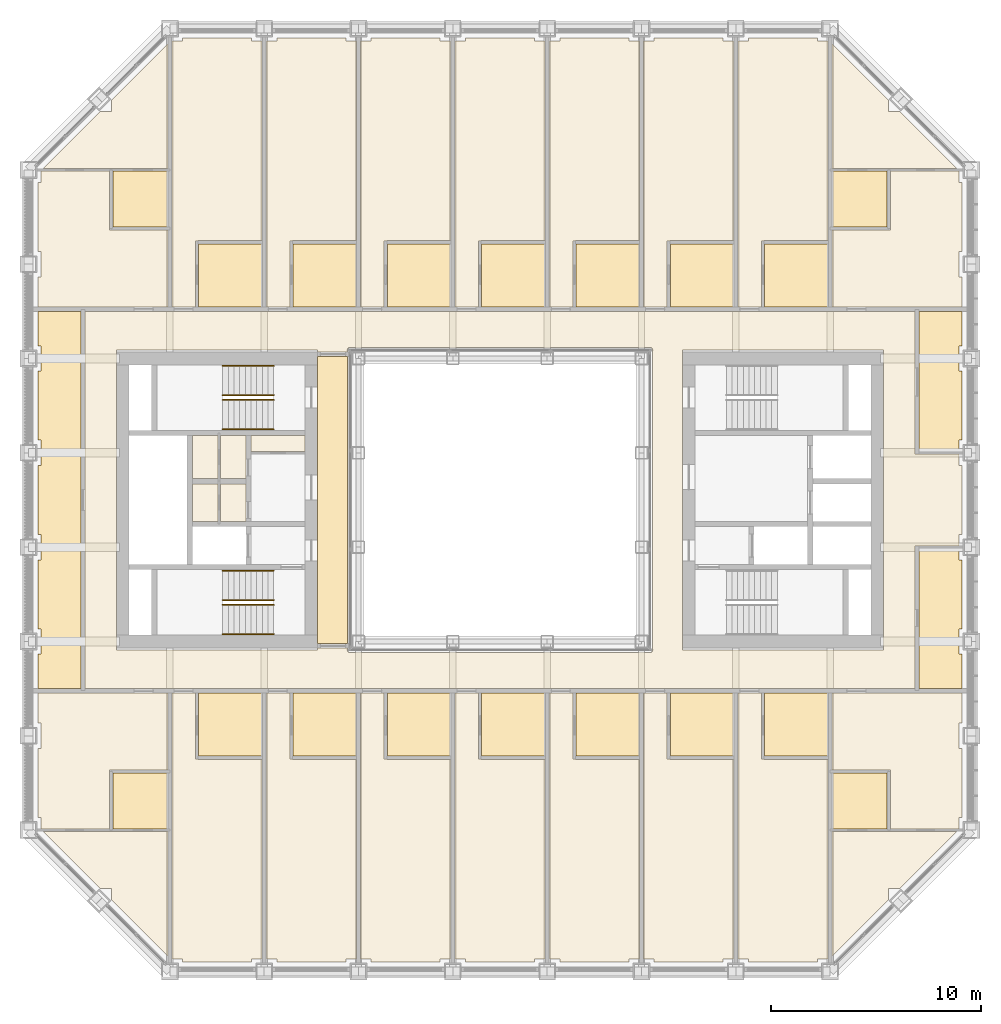
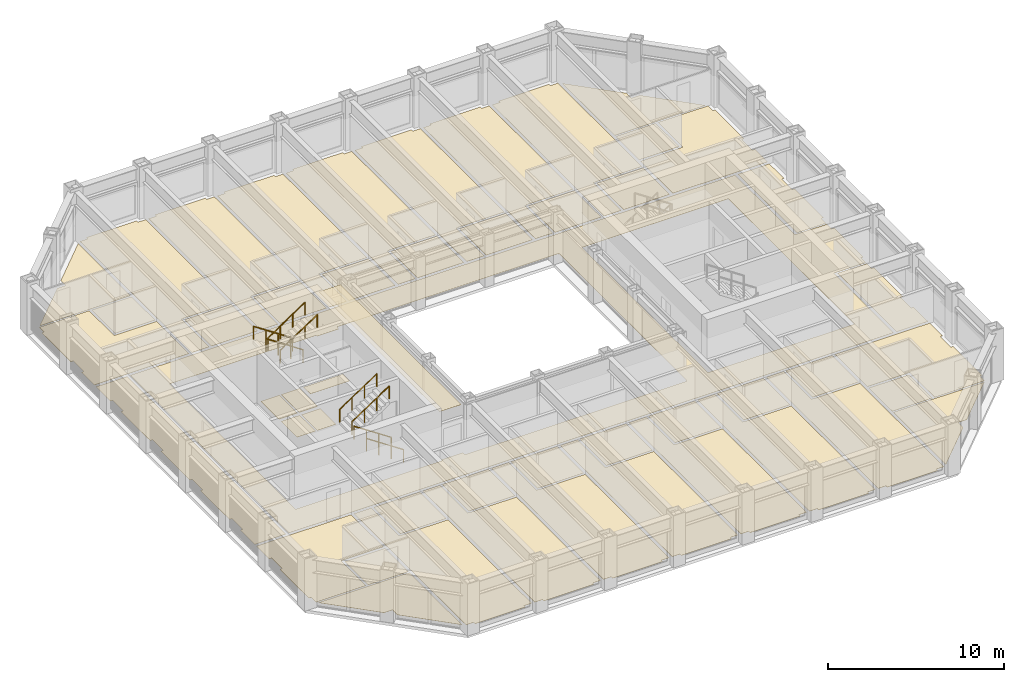
# One storey, part 16 of 18: 8 railings, 4 coverings.
"""IFC4 building model written with IfcOpenShell, lengths in metres."""

from ifc_helpers import new_model, si_unit, direction, frame, origin, origin_2d, place, context, subcontext, project, spatial, line, indexed_curve, circle, outline, extrude, material, layer, layer_set, type_object, element, save


model = new_model("IFC4")

# Units and contexts
model_context = context("Model", 3, precision=1e-05, world=origin(), true_north=direction((0.0, 1.0)))
body_context = subcontext(model_context, "Body", "Model", "MODEL_VIEW")
ifc_project = project(units=[si_unit("LENGTHUNIT", "METRE"), si_unit("AREAUNIT", "SQUARE_METRE"), si_unit("VOLUMEUNIT", "CUBIC_METRE"), si_unit("PLANEANGLEUNIT", "RADIAN"), si_unit("MASSUNIT", "GRAM", prefix="KILO")], contexts=[model_context])

# Site, building, storey
site_placement = place(None, origin())
site = spatial("IfcSite", under=ifc_project, at=site_placement, CompositionType="ELEMENT")
building_placement = place(site_placement, origin())
building = spatial("IfcBuilding", under=site, at=building_placement, Name="Msasa Ring Tower", CompositionType="ELEMENT")
storey_placement = place(building_placement, frame((0.0, 0.0, 125.60009765625)))
storey = spatial("IfcBuildingStorey", under=building, at=storey_placement, Name="L32", CompositionType="ELEMENT", Elevation=125.60009765625)

# Coverings
ifc_material_1 = material(Name="Gypsum plasterboard on a steel suspension grid", Category="steel")
ifc_layer_1 = layer(ifc_material_1, 0.014892578125)
ifc_layer_set_1 = layer_set([ifc_layer_1], Name="C1 SUSPENDED PLASTERBOARD CEILING 15")
covering_type_1 = type_object("IfcCoveringType", Name="C1 SUSPENDED PLASTERBOARD CEILING 15", PredefinedType="CEILING", material=ifc_layer_set_1)
covering_1_placement = place(storey_placement, frame((0.0, 0.0, 3.199951171875)))
element("IfcCovering", 1, at=covering_1_placement, inside=storey, type_object=covering_type_1, Name="Suspended Plasterboard Ceiling 15 public rooms L32", PredefinedType="CEILING", context=body_context, shape_type="SweptSolid", body=[
    extrude(outline(indexed_curve([(-8.699462890625, 6.849609375), (-7.280029296875, 6.849609375), (-7.280029296875, -6.849609375), (-8.699462890625, -6.849609375)], segments=[line(1, 2, 3, 4, 1)], self_intersect=False)), origin(), (0.0, 0.0, 1.0), 0.014892578125),
])
ifc_material_2 = material(Name="Wool-blend carpet on felt underlay", Category="textile")
ifc_layer_2 = layer(ifc_material_2, 0.011962890625)
ifc_layer_set_2 = layer_set([ifc_layer_2], Name="F2 CARPET ON UNDERLAY 12")
covering_type_2 = type_object("IfcCoveringType", Name="F2 CARPET ON UNDERLAY 12", PredefinedType="FLOORING", material=ifc_layer_set_2)
covering_2_placement = place(storey_placement, origin())
element("IfcCovering", 2, at=covering_2_placement, inside=storey, type_object=covering_type_2, Name="Carpet On Underlay 12 L32", PredefinedType="FLOORING", context=body_context, shape_type="SweptSolid", body=[
    extrude(outline(indexed_curve([(-15.8505859375, -9.200439453125), (-15.8505859375, -12.869384765625), (-18.630615234375, -12.869384765625), (-18.630615234375, -15.694580078125), (-21.8994140625, -15.694580078125), (-21.8994140625, -15.1494140625), (-22.049560546875, -15.1494140625), (-22.049560546875, -11.8505859375), (-21.8994140625, -11.8505859375), (-21.8994140625, -10.6494140625), (-22.049560546875, -10.6494140625), (-22.049560546875, -9.200439453125)], segments=[line(1, 2, 3, 4, 5, 6, 7, 8, 9, 10, 11, 12, 1)], self_intersect=False)), origin(), (0.0, 0.0, 1.0), 0.011962890625),
    extrude(outline(indexed_curve([(-22.049560546875, 9.200439453125), (-22.049560546875, 10.6494140625), (-21.8994140625, 10.6494140625), (-21.8994140625, 11.8505859375), (-22.049560546875, 11.8505859375), (-22.049560546875, 15.1494140625), (-21.8994140625, 15.1494140625), (-21.8994140625, 15.694580078125), (-18.630615234375, 15.694580078125), (-18.630615234375, 12.869384765625), (-15.8505859375, 12.869384765625), (-15.8505859375, 9.200439453125)], segments=[line(1, 2, 3, 4, 5, 6, 7, 8, 9, 10, 11, 12, 1)], self_intersect=False)), origin(), (0.0, 0.0, 1.0), 0.011962890625),
    extrude(outline(indexed_curve([(-15.8505859375, -15.805419921875), (-15.8505859375, -21.762451171875), (-18.5244140625, -19.08837890625), (-18.5244140625, -18.5244140625), (-19.08837890625, -18.5244140625), (-21.807373046875, -15.805419921875)], segments=[line(1, 2, 3, 4, 5, 6, 1)], self_intersect=False)), origin(), (0.0, 0.0, 1.0), 0.011962890625),
    extrude(outline(indexed_curve([(-21.807373046875, 15.805419921875), (-19.08837890625, 18.5244140625), (-18.5244140625, 18.5244140625), (-18.5244140625, 19.08837890625), (-15.8505859375, 21.762451171875), (-15.8505859375, 15.805419921875)], segments=[line(1, 2, 3, 4, 5, 6, 1)], self_intersect=False)), origin(), (0.0, 0.0, 1.0), 0.011962890625),
    extrude(outline(indexed_curve([(22.049560546875, -1.6494140625), (21.8994140625, -1.6494140625), (21.8994140625, -2.199462890625), (19.799560546875, -2.199462890625), (19.799560546875, -8.99951171875), (-19.799560546875, -8.99951171875), (-19.799560546875, 8.99951171875), (19.799560546875, 8.99951171875), (19.799560546875, 2.199462890625), (21.8994140625, 2.199462890625), (21.8994140625, 1.6494140625), (22.049560546875, 1.6494140625)], segments=[line(1, 2, 3, 4, 5, 6, 7, 8, 9, 10, 11, 12, 1)], self_intersect=False), holes=[indexed_curve([(18.300537109375, -7.150390625), (18.300537109375, 7.150390625), (8.699462890625, 7.150390625), (8.699462890625, -7.150390625)], segments=[line(1, 2, 3, 4, 1)], self_intersect=False), indexed_curve([(-18.300537109375, 7.150390625), (-18.300537109375, -7.150390625), (-8.699462890625, -7.150390625), (-8.699462890625, -7.050537109375), (-7.280029296875, -7.050537109375), (-7.280517578125, -7.23046875), (-7.22998046875, -7.23046875), (-7.22998046875, -7.280029296875), (7.22998046875, -7.280029296875), (7.22998046875, -7.23046875), (7.280517578125, -7.23046875), (7.280517578125, 7.23046875), (7.22998046875, 7.23046875), (7.22998046875, 7.280029296875), (-7.22998046875, 7.280029296875), (-7.22998046875, 7.23046875), (-7.280517578125, 7.23046875), (-7.280029296875, 7.050537109375), (-8.699462890625, 7.050537109375), (-8.699462890625, 7.150390625)], segments=[line(1, 2, 3, 4, 5, 6, 7, 8, 9, 10, 11, 12, 13, 14, 15, 16, 17, 18, 19, 20, 1)], self_intersect=False)]), origin(), (0.0, 0.0, 1.0), 0.011962890625),
    extrude(outline(indexed_curve([(-15.6494140625, -9.200439453125), (-14.525390625, -9.200439453125), (-14.525390625, -12.35009765625), (-14.39990234375, -12.3505859375), (-14.39990234375, -12.37548828125), (-11.3505859375, -12.37548828125), (-11.3505859375, -21.8994140625), (-11.8505859375, -21.8994140625), (-11.8505859375, -22.049560546875), (-15.1494140625, -22.049560546875), (-15.1494140625, -21.8994140625), (-15.6494140625, -21.8994140625)], segments=[line(1, 2, 3, 4, 5, 6, 7, 8, 9, 10, 11, 12, 1)], self_intersect=False)), origin(), (0.0, 0.0, 1.0), 0.011962890625),
    extrude(outline(indexed_curve([(-15.6494140625, 21.8994140625), (-15.1494140625, 21.8994140625), (-15.1494140625, 22.049560546875), (-11.8505859375, 22.049560546875), (-11.8505859375, 21.8994140625), (-11.3505859375, 21.8994140625), (-11.3505859375, 12.37548828125), (-14.39990234375, 12.37548828125), (-14.39990234375, 12.3505859375), (-14.525390625, 12.35009765625), (-14.525390625, 9.200439453125), (-15.6494140625, 9.200439453125)], segments=[line(1, 2, 3, 4, 5, 6, 7, 8, 9, 10, 11, 12, 1)], self_intersect=False)), origin(), (0.0, 0.0, 1.0), 0.011962890625),
    extrude(outline(indexed_curve([(-13.45556640625, -1.0244140625), (-14.674560546875, -1.0244140625), (-14.674560546875, 0.7744140625), (-13.45556640625, 0.7744140625)], segments=[line(1, 2, 3, 4, 1)], self_intersect=False)), origin(), (0.0, 0.0, 1.0), 0.011962890625),
    extrude(outline(indexed_curve([(-13.45556640625, 3.074462890625), (-13.45556640625, 1.025390625), (-14.674560546875, 1.025390625), (-14.674560546875, 3.074462890625)], segments=[line(1, 2, 3, 4, 1)], self_intersect=False)), origin(), (0.0, 0.0, 1.0), 0.011962890625),
    extrude(outline(indexed_curve([(-12.12548828125, -1.0244140625), (-13.344482421875, -1.0244140625), (-13.344482421875, 0.7744140625), (-12.12548828125, 0.7744140625)], segments=[line(1, 2, 3, 4, 1)], self_intersect=False)), origin(), (0.0, 0.0, 1.0), 0.011962890625),
    extrude(outline(indexed_curve([(-12.12548828125, 1.025390625), (-13.344482421875, 1.025390625), (-13.344482421875, 3.074462890625), (-12.12548828125, 3.074462890625)], segments=[line(1, 2, 3, 4, 1)], self_intersect=False)), origin(), (0.0, 0.0, 1.0), 0.011962890625),
    extrude(outline(indexed_curve([(-9.300537109375, 2.305419921875), (-11.87451171875, 2.305419921875), (-11.87451171875, 3.074462890625), (-9.300537109375, 3.074462890625)], segments=[line(1, 2, 3, 4, 1)], self_intersect=False)), origin(), (0.0, 0.0, 1.0), 0.011962890625),
    extrude(outline(indexed_curve([(-10.025390625, -9.200439453125), (-10.025390625, -12.35009765625), (-9.89990234375, -12.3505859375), (-9.89990234375, -12.37548828125), (-6.8505859375, -12.37548828125), (-6.8505859375, -21.8994140625), (-7.3505859375, -21.8994140625), (-7.3505859375, -22.049560546875), (-10.6494140625, -22.049560546875), (-10.6494140625, -21.8994140625), (-11.1494140625, -21.8994140625), (-11.1494140625, -9.200439453125)], segments=[line(1, 2, 3, 4, 5, 6, 7, 8, 9, 10, 11, 12, 1)], self_intersect=False)), origin(), (0.0, 0.0, 1.0), 0.011962890625),
    extrude(outline(indexed_curve([(-7.3505859375, 22.049560546875), (-7.3505859375, 21.8994140625), (-6.8505859375, 21.8994140625), (-6.8505859375, 12.37548828125), (-9.89990234375, 12.37548828125), (-9.89990234375, 12.3505859375), (-10.025390625, 12.35009765625), (-10.025390625, 9.200439453125), (-11.1494140625, 9.200439453125), (-11.1494140625, 21.8994140625), (-10.6494140625, 21.8994140625), (-10.6494140625, 22.049560546875)], segments=[line(1, 2, 3, 4, 5, 6, 7, 8, 9, 10, 11, 12, 1)], self_intersect=False)), origin(), (0.0, 0.0, 1.0), 0.011962890625),
    extrude(outline(indexed_curve([(-5.525390625, -9.200439453125), (-5.525390625, -12.35009765625), (-5.39990234375, -12.3505859375), (-5.39990234375, -12.37548828125), (-2.3505859375, -12.37548828125), (-2.3505859375, -21.8994140625), (-2.8505859375, -21.8994140625), (-2.8505859375, -22.049560546875), (-6.1494140625, -22.049560546875), (-6.1494140625, -21.8994140625), (-6.6494140625, -21.8994140625), (-6.6494140625, -9.200439453125)], segments=[line(1, 2, 3, 4, 5, 6, 7, 8, 9, 10, 11, 12, 1)], self_intersect=False)), origin(), (0.0, 0.0, 1.0), 0.011962890625),
    extrude(outline(indexed_curve([(-2.8505859375, 22.049560546875), (-2.8505859375, 21.8994140625), (-2.3505859375, 21.8994140625), (-2.3505859375, 12.37548828125), (-5.39990234375, 12.37548828125), (-5.39990234375, 12.3505859375), (-5.525390625, 12.35009765625), (-5.525390625, 9.200439453125), (-6.6494140625, 9.200439453125), (-6.6494140625, 21.8994140625), (-6.1494140625, 21.8994140625), (-6.1494140625, 22.049560546875)], segments=[line(1, 2, 3, 4, 5, 6, 7, 8, 9, 10, 11, 12, 1)], self_intersect=False)), origin(), (0.0, 0.0, 1.0), 0.011962890625),
    extrude(outline(indexed_curve([(-1.025390625, -9.200439453125), (-1.025390625, -12.35009765625), (-0.89990234375, -12.3505859375), (-0.89990234375, -12.37548828125), (2.1494140625, -12.37548828125), (2.1494140625, -21.8994140625), (1.6494140625, -21.8994140625), (1.6494140625, -22.049560546875), (-1.6494140625, -22.049560546875), (-1.6494140625, -21.8994140625), (-2.1494140625, -21.8994140625), (-2.1494140625, -9.200439453125)], segments=[line(1, 2, 3, 4, 5, 6, 7, 8, 9, 10, 11, 12, 1)], self_intersect=False)), origin(), (0.0, 0.0, 1.0), 0.011962890625),
    extrude(outline(indexed_curve([(1.6494140625, 22.049560546875), (1.6494140625, 21.8994140625), (2.1494140625, 21.8994140625), (2.1494140625, 12.37548828125), (-0.89990234375, 12.37548828125), (-0.89990234375, 12.3505859375), (-1.025390625, 12.35009765625), (-1.025390625, 9.200439453125), (-2.1494140625, 9.200439453125), (-2.1494140625, 21.8994140625), (-1.6494140625, 21.8994140625), (-1.6494140625, 22.049560546875)], segments=[line(1, 2, 3, 4, 5, 6, 7, 8, 9, 10, 11, 12, 1)], self_intersect=False)), origin(), (0.0, 0.0, 1.0), 0.011962890625),
    extrude(outline(indexed_curve([(3.474609375, -9.200439453125), (3.474609375, -12.35009765625), (3.60009765625, -12.3505859375), (3.60009765625, -12.37548828125), (6.6494140625, -12.37548828125), (6.6494140625, -21.8994140625), (6.1494140625, -21.8994140625), (6.1494140625, -22.049560546875), (2.8505859375, -22.049560546875), (2.8505859375, -21.8994140625), (2.3505859375, -21.8994140625), (2.3505859375, -9.200439453125)], segments=[line(1, 2, 3, 4, 5, 6, 7, 8, 9, 10, 11, 12, 1)], self_intersect=False)), origin(), (0.0, 0.0, 1.0), 0.011962890625),
    extrude(outline(indexed_curve([(6.1494140625, 22.049560546875), (6.1494140625, 21.8994140625), (6.6494140625, 21.8994140625), (6.6494140625, 12.37548828125), (3.60009765625, 12.37548828125), (3.60009765625, 12.3505859375), (3.474609375, 12.35009765625), (3.474609375, 9.200439453125), (2.3505859375, 9.200439453125), (2.3505859375, 21.8994140625), (2.8505859375, 21.8994140625), (2.8505859375, 22.049560546875)], segments=[line(1, 2, 3, 4, 5, 6, 7, 8, 9, 10, 11, 12, 1)], self_intersect=False)), origin(), (0.0, 0.0, 1.0), 0.011962890625),
    extrude(outline(indexed_curve([(7.974609375, -9.200439453125), (7.974609375, -12.35009765625), (8.10009765625, -12.3505859375), (8.10009765625, -12.37548828125), (11.1494140625, -12.37548828125), (11.1494140625, -21.8994140625), (10.6494140625, -21.8994140625), (10.6494140625, -22.049560546875), (7.3505859375, -22.049560546875), (7.3505859375, -21.8994140625), (6.8505859375, -21.8994140625), (6.8505859375, -9.200439453125)], segments=[line(1, 2, 3, 4, 5, 6, 7, 8, 9, 10, 11, 12, 1)], self_intersect=False)), origin(), (0.0, 0.0, 1.0), 0.011962890625),
    extrude(outline(indexed_curve([(10.6494140625, 22.049560546875), (10.6494140625, 21.8994140625), (11.1494140625, 21.8994140625), (11.1494140625, 12.37548828125), (8.10009765625, 12.37548828125), (8.10009765625, 12.3505859375), (7.974609375, 12.35009765625), (7.974609375, 9.200439453125), (6.8505859375, 9.200439453125), (6.8505859375, 21.8994140625), (7.3505859375, 21.8994140625), (7.3505859375, 22.049560546875)], segments=[line(1, 2, 3, 4, 5, 6, 7, 8, 9, 10, 11, 12, 1)], self_intersect=False)), origin(), (0.0, 0.0, 1.0), 0.011962890625),
    extrude(outline(indexed_curve([(11.3505859375, -9.200439453125), (12.474609375, -9.200439453125), (12.474609375, -12.35009765625), (12.60009765625, -12.3505859375), (12.60009765625, -12.37548828125), (15.6494140625, -12.37548828125), (15.6494140625, -21.8994140625), (15.1494140625, -21.8994140625), (15.1494140625, -22.049560546875), (11.8505859375, -22.049560546875), (11.8505859375, -21.8994140625), (11.3505859375, -21.8994140625)], segments=[line(1, 2, 3, 4, 5, 6, 7, 8, 9, 10, 11, 12, 1)], self_intersect=False)), origin(), (0.0, 0.0, 1.0), 0.011962890625),
    extrude(outline(indexed_curve([(11.3505859375, 21.8994140625), (11.8505859375, 21.8994140625), (11.8505859375, 22.049560546875), (15.1494140625, 22.049560546875), (15.1494140625, 21.8994140625), (15.6494140625, 21.8994140625), (15.6494140625, 12.37548828125), (12.60009765625, 12.37548828125), (12.60009765625, 12.3505859375), (12.474609375, 12.35009765625), (12.474609375, 9.200439453125), (11.3505859375, 9.200439453125)], segments=[line(1, 2, 3, 4, 5, 6, 7, 8, 9, 10, 11, 12, 1)], self_intersect=False)), origin(), (0.0, 0.0, 1.0), 0.011962890625),
    extrude(outline(indexed_curve([(15.8505859375, -15.805419921875), (21.807373046875, -15.805419921875), (19.08837890625, -18.5244140625), (18.5244140625, -18.5244140625), (18.5244140625, -19.08837890625), (15.8505859375, -21.762451171875)], segments=[line(1, 2, 3, 4, 5, 6, 1)], self_intersect=False)), origin(), (0.0, 0.0, 1.0), 0.011962890625),
    extrude(outline(indexed_curve([(22.049560546875, -9.200439453125), (22.049560546875, -10.6494140625), (21.8994140625, -10.6494140625), (21.8994140625, -11.8505859375), (22.049560546875, -11.8505859375), (22.049560546875, -15.1494140625), (21.8994140625, -15.1494140625), (21.8994140625, -15.694580078125), (18.630615234375, -15.694580078125), (18.630615234375, -12.869384765625), (15.8505859375, -12.869384765625), (15.8505859375, -9.200439453125)], segments=[line(1, 2, 3, 4, 5, 6, 7, 8, 9, 10, 11, 12, 1)], self_intersect=False)), origin(), (0.0, 0.0, 1.0), 0.011962890625),
    extrude(outline(indexed_curve([(22.049560546875, 11.8505859375), (21.8994140625, 11.8505859375), (21.8994140625, 10.6494140625), (22.049560546875, 10.6494140625), (22.049560546875, 9.200439453125), (15.8505859375, 9.200439453125), (15.8505859375, 12.869384765625), (18.630615234375, 12.869384765625), (18.630615234375, 15.694580078125), (21.8994140625, 15.694580078125), (21.8994140625, 15.1494140625), (22.049560546875, 15.1494140625)], segments=[line(1, 2, 3, 4, 5, 6, 7, 8, 9, 10, 11, 12, 1)], self_intersect=False)), origin(), (0.0, 0.0, 1.0), 0.011962890625),
    extrude(outline(indexed_curve([(15.8505859375, 21.762451171875), (18.5244140625, 19.08837890625), (18.5244140625, 18.5244140625), (19.08837890625, 18.5244140625), (21.807373046875, 15.805419921875), (15.8505859375, 15.805419921875)], segments=[line(1, 2, 3, 4, 5, 6, 1)], self_intersect=False)), origin(), (0.0, 0.0, 1.0), 0.011962890625),
])
ifc_material_3 = material(Name="Porcelain floor tiles in adhesive", Category="ceramic")
ifc_layer_3 = layer(ifc_material_3, 0.010009765625)
ifc_layer_set_3 = layer_set([ifc_layer_3], Name="F4 PORCELAIN TILE ON ADHESIVE 10")
covering_type_3 = type_object("IfcCoveringType", Name="F4 PORCELAIN TILE ON ADHESIVE 10", PredefinedType="FLOORING", material=ifc_layer_set_3)
covering_3_placement = place(storey_placement, origin())
element("IfcCovering", 3, at=covering_3_placement, inside=storey, type_object=covering_type_3, Name="Porcelain Tile On Adhesive 10 L32", PredefinedType="FLOORING", context=body_context, shape_type="SweptSolid", body=[
    extrude(outline(indexed_curve([(-15.8505859375, -13.030517578125), (-15.8505859375, -15.694580078125), (-18.469482421875, -15.694580078125), (-18.469482421875, -13.030517578125)], segments=[line(1, 2, 3, 4, 1)], self_intersect=False)), origin(), (0.0, 0.0, 1.0), 0.010009765625),
    extrude(outline(indexed_curve([(-15.8505859375, 13.030517578125), (-18.469482421875, 13.030517578125), (-18.469482421875, 15.694580078125), (-15.8505859375, 15.694580078125)], segments=[line(1, 2, 3, 4, 1)], self_intersect=False)), origin(), (0.0, 0.0, 1.0), 0.010009765625),
    extrude(outline(indexed_curve([(-11.3505859375, -9.200439453125), (-11.3505859375, -12.224609375), (-14.37451171875, -12.224609375), (-14.37451171875, -9.200439453125)], segments=[line(1, 2, 3, 4, 1)], self_intersect=False)), origin(), (0.0, 0.0, 1.0), 0.010009765625),
    extrude(outline(indexed_curve([(-11.3505859375, 9.200439453125), (-14.37451171875, 9.200439453125), (-14.37451171875, 12.224609375), (-11.3505859375, 12.224609375)], segments=[line(1, 2, 3, 4, 1)], self_intersect=False)), origin(), (0.0, 0.0, 1.0), 0.010009765625),
    extrude(outline(indexed_curve([(-6.8505859375, -9.200439453125), (-6.8505859375, -12.224609375), (-9.87451171875, -12.224609375), (-9.87451171875, -9.200439453125)], segments=[line(1, 2, 3, 4, 1)], self_intersect=False)), origin(), (0.0, 0.0, 1.0), 0.010009765625),
    extrude(outline(indexed_curve([(-6.8505859375, 9.200439453125), (-9.87451171875, 9.200439453125), (-9.87451171875, 12.224609375), (-6.8505859375, 12.224609375)], segments=[line(1, 2, 3, 4, 1)], self_intersect=False)), origin(), (0.0, 0.0, 1.0), 0.010009765625),
    extrude(outline(indexed_curve([(-2.3505859375, -9.200439453125), (-2.3505859375, -12.224609375), (-5.37451171875, -12.224609375), (-5.37451171875, -9.200439453125)], segments=[line(1, 2, 3, 4, 1)], self_intersect=False)), origin(), (0.0, 0.0, 1.0), 0.010009765625),
    extrude(outline(indexed_curve([(-2.3505859375, 9.200439453125), (-5.37451171875, 9.200439453125), (-5.37451171875, 12.224609375), (-2.3505859375, 12.224609375)], segments=[line(1, 2, 3, 4, 1)], self_intersect=False)), origin(), (0.0, 0.0, 1.0), 0.010009765625),
    extrude(outline(indexed_curve([(2.1494140625, -9.200439453125), (2.1494140625, -12.224609375), (-0.87451171875, -12.224609375), (-0.87451171875, -9.200439453125)], segments=[line(1, 2, 3, 4, 1)], self_intersect=False)), origin(), (0.0, 0.0, 1.0), 0.010009765625),
    extrude(outline(indexed_curve([(2.1494140625, 9.200439453125), (-0.87451171875, 9.200439453125), (-0.87451171875, 12.224609375), (2.1494140625, 12.224609375)], segments=[line(1, 2, 3, 4, 1)], self_intersect=False)), origin(), (0.0, 0.0, 1.0), 0.010009765625),
    extrude(outline(indexed_curve([(6.6494140625, -9.200439453125), (6.6494140625, -12.224609375), (3.62548828125, -12.224609375), (3.62548828125, -9.200439453125)], segments=[line(1, 2, 3, 4, 1)], self_intersect=False)), origin(), (0.0, 0.0, 1.0), 0.010009765625),
    extrude(outline(indexed_curve([(6.6494140625, 9.200439453125), (3.62548828125, 9.200439453125), (3.62548828125, 12.224609375), (6.6494140625, 12.224609375)], segments=[line(1, 2, 3, 4, 1)], self_intersect=False)), origin(), (0.0, 0.0, 1.0), 0.010009765625),
    extrude(outline(indexed_curve([(11.1494140625, -9.200439453125), (11.1494140625, -12.224609375), (8.12548828125, -12.224609375), (8.12548828125, -9.200439453125)], segments=[line(1, 2, 3, 4, 1)], self_intersect=False)), origin(), (0.0, 0.0, 1.0), 0.010009765625),
    extrude(outline(indexed_curve([(11.1494140625, 9.200439453125), (8.12548828125, 9.200439453125), (8.12548828125, 12.224609375), (11.1494140625, 12.224609375)], segments=[line(1, 2, 3, 4, 1)], self_intersect=False)), origin(), (0.0, 0.0, 1.0), 0.010009765625),
    extrude(outline(indexed_curve([(15.6494140625, -9.200439453125), (15.6494140625, -12.224609375), (12.62548828125, -12.224609375), (12.62548828125, -9.200439453125)], segments=[line(1, 2, 3, 4, 1)], self_intersect=False)), origin(), (0.0, 0.0, 1.0), 0.010009765625),
    extrude(outline(indexed_curve([(15.6494140625, 9.200439453125), (12.62548828125, 9.200439453125), (12.62548828125, 12.224609375), (15.6494140625, 12.224609375)], segments=[line(1, 2, 3, 4, 1)], self_intersect=False)), origin(), (0.0, 0.0, 1.0), 0.010009765625),
    extrude(outline(indexed_curve([(18.469482421875, -13.030517578125), (18.469482421875, -15.694580078125), (15.8505859375, -15.694580078125), (15.8505859375, -13.030517578125)], segments=[line(1, 2, 3, 4, 1)], self_intersect=False)), origin(), (0.0, 0.0, 1.0), 0.010009765625),
    extrude(outline(indexed_curve([(18.469482421875, 13.030517578125), (15.8505859375, 13.030517578125), (15.8505859375, 15.694580078125), (18.469482421875, 15.694580078125)], segments=[line(1, 2, 3, 4, 1)], self_intersect=False)), origin(), (0.0, 0.0, 1.0), 0.010009765625),
])
ifc_material_4 = material(Name="Welded vinyl safety sheet flooring", Category="vinyl")
ifc_layer_4 = layer(ifc_material_4, 0.0029296875)
ifc_layer_set_4 = layer_set([ifc_layer_4], Name="F5 RESILIENT SHEET FLOORING 3")
covering_type_4 = type_object("IfcCoveringType", Name="F5 RESILIENT SHEET FLOORING 3", PredefinedType="FLOORING", material=ifc_layer_set_4)
covering_4_placement = place(storey_placement, origin())
element("IfcCovering", 4, at=covering_4_placement, inside=storey, type_object=covering_type_4, Name="Resilient Sheet Flooring 3 L32", PredefinedType="FLOORING", context=body_context, shape_type="SweptSolid", body=[
    extrude(outline(indexed_curve([(-20.00048828125, 8.99951171875), (-20.00048828125, -8.99951171875), (-22.049560546875, -8.99951171875), (-22.049560546875, -7.3505859375), (-21.8994140625, -7.3505859375), (-21.8994140625, -6.1494140625), (-22.049560546875, -6.1494140625), (-22.049560546875, -2.8505859375), (-21.8994140625, -2.8505859375), (-21.8994140625, -1.6494140625), (-22.049560546875, -1.6494140625), (-22.049560546875, 1.6494140625), (-21.8994140625, 1.6494140625), (-21.8994140625, 2.8505859375), (-22.049560546875, 2.8505859375), (-22.049560546875, 6.1494140625), (-21.8994140625, 6.1494140625), (-21.8994140625, 7.3505859375), (-22.049560546875, 7.3505859375), (-22.049560546875, 8.99951171875)], segments=[line(1, 2, 3, 4, 5, 6, 7, 8, 9, 10, 11, 12, 13, 14, 15, 16, 17, 18, 19, 20, 1)], self_intersect=False)), origin(), (0.0, 0.0, 1.0), 0.0029296875),
    extrude(outline(indexed_curve([(21.8994140625, -2.305419921875), (21.8994140625, -2.8505859375), (22.049560546875, -2.8505859375), (22.049560546875, -6.1494140625), (21.8994140625, -6.1494140625), (21.8994140625, -7.3505859375), (22.049560546875, -7.3505859375), (22.049560546875, -8.99951171875), (20.00048828125, -8.99951171875), (20.00048828125, -2.305419921875)], segments=[line(1, 2, 3, 4, 5, 6, 7, 8, 9, 10, 1)], self_intersect=False)), origin(), (0.0, 0.0, 1.0), 0.0029296875),
    extrude(outline(indexed_curve([(22.049560546875, 7.3505859375), (21.8994140625, 7.3505859375), (21.8994140625, 6.1494140625), (22.049560546875, 6.1494140625), (22.049560546875, 2.8505859375), (21.8994140625, 2.8505859375), (21.8994140625, 2.305419921875), (20.00048828125, 2.305419921875), (20.00048828125, 8.99951171875), (22.049560546875, 8.99951171875)], segments=[line(1, 2, 3, 4, 5, 6, 7, 8, 9, 10, 1)], self_intersect=False)), origin(), (0.0, 0.0, 1.0), 0.0029296875),
])

# Railings
ifc_material_5 = material(Name="Stainless steel", Category="steel")
railing_type = type_object("IfcRailingType", Name="HR1 HANDRAIL 900", PredefinedType="HANDRAIL", material=ifc_material_5)
for number, where, name in (
    (5, (-10.800048828125, -6.39990234375, 0.179931640625), "Handrail stair SWA L32 1"),
    (6, (-10.800048828125, -5.0, 0.179931640625), "Handrail stair SWA L32 2"),
):
    element("IfcRailing", number, at=place(storey_placement, frame(where)), inside=storey, type_object=railing_type, Name=name, PredefinedType="HANDRAIL", context=body_context, shape_type="SweptSolid", body=[
        extrude(circle(Radius=0.02392578125, at=origin_2d()), frame((0.0, 0.0, 0.8759765625), z_axis=(-0.832063155534, 0.0, 0.554680903946), x_axis=(0.0, -1.0, 0.0)), (0.0, 0.0, 1.0), 2.92041015625),
        extrude(circle(Radius=0.02099609375, at=origin_2d()), origin(), (0.0, 0.0, 1.0), 0.851806640625),
        extrude(circle(Radius=0.02099609375, at=origin_2d()), frame((-0.81005859375, 0.0, 0.5400390625)), (0.0, 0.0, 1.0), 0.851806640625),
        extrude(circle(Radius=0.02099609375, at=origin_2d()), frame((-1.619873046875, 0.0, 1.079833984375)), (0.0, 0.0, 1.0), 0.851806640625),
        extrude(circle(Radius=0.02099609375, at=origin_2d()), frame((-2.429931640625, 0.0, 1.619873046875)), (0.0, 0.0, 1.0), 0.851806640625),
    ])
for number, where, name in (
    (7, (-13.22998046875, -4.77490234375, 1.97998046875), "Handrail stair SWA L32 3"),
    (8, (-13.22998046875, -3.375, 1.97998046875), "Handrail stair SWA L32 4"),
):
    element("IfcRailing", number, at=place(storey_placement, frame(where)), inside=storey, type_object=railing_type, Name=name, PredefinedType="HANDRAIL", context=body_context, shape_type="SweptSolid", body=[
        extrude(circle(Radius=0.02392578125, at=origin_2d()), frame((0.0, 0.0, 0.8759765625), z_axis=(0.832063155534, 0.0, 0.554680903946), x_axis=(0.0, 1.0, 0.0)), (0.0, 0.0, 1.0), 2.92041015625),
        extrude(circle(Radius=0.02099609375, at=origin_2d()), origin(), (0.0, 0.0, 1.0), 0.851806640625),
        extrude(circle(Radius=0.02099609375, at=origin_2d()), frame((0.81005859375, 0.0, 0.5400390625)), (0.0, 0.0, 1.0), 0.851806640625),
        extrude(circle(Radius=0.02099609375, at=origin_2d()), frame((1.619873046875, 0.0, 1.079833984375)), (0.0, 0.0, 1.0), 0.851806640625),
        extrude(circle(Radius=0.02099609375, at=origin_2d()), frame((2.429931640625, 0.0, 1.619873046875)), (0.0, 0.0, 1.0), 0.851806640625),
    ])
for number, where, name in (
    (9, (-10.800048828125, 5.0, 0.179931640625), "Handrail stair SWB L32 1"),
    (10, (-10.800048828125, 6.39990234375, 0.179931640625), "Handrail stair SWB L32 2"),
):
    element("IfcRailing", number, at=place(storey_placement, frame(where)), inside=storey, type_object=railing_type, Name=name, PredefinedType="HANDRAIL", context=body_context, shape_type="SweptSolid", body=[
        extrude(circle(Radius=0.02392578125, at=origin_2d()), frame((0.0, 0.0, 0.8759765625), z_axis=(-0.832063155534, 0.0, 0.554680903946), x_axis=(0.0, -1.0, 0.0)), (0.0, 0.0, 1.0), 2.92041015625),
        extrude(circle(Radius=0.02099609375, at=origin_2d()), origin(), (0.0, 0.0, 1.0), 0.851806640625),
        extrude(circle(Radius=0.02099609375, at=origin_2d()), frame((-0.81005859375, 0.0, 0.5400390625)), (0.0, 0.0, 1.0), 0.851806640625),
        extrude(circle(Radius=0.02099609375, at=origin_2d()), frame((-1.619873046875, 0.0, 1.079833984375)), (0.0, 0.0, 1.0), 0.851806640625),
        extrude(circle(Radius=0.02099609375, at=origin_2d()), frame((-2.429931640625, 0.0, 1.619873046875)), (0.0, 0.0, 1.0), 0.851806640625),
    ])
for number, where, name in (
    (11, (-13.22998046875, 3.375, 1.97998046875), "Handrail stair SWB L32 3"),
    (12, (-13.22998046875, 4.77490234375, 1.97998046875), "Handrail stair SWB L32 4"),
):
    element("IfcRailing", number, at=place(storey_placement, frame(where)), inside=storey, type_object=railing_type, Name=name, PredefinedType="HANDRAIL", context=body_context, shape_type="SweptSolid", body=[
        extrude(circle(Radius=0.02392578125, at=origin_2d()), frame((0.0, 0.0, 0.8759765625), z_axis=(0.832063155534, 0.0, 0.554680903946), x_axis=(0.0, 1.0, 0.0)), (0.0, 0.0, 1.0), 2.92041015625),
        extrude(circle(Radius=0.02099609375, at=origin_2d()), origin(), (0.0, 0.0, 1.0), 0.851806640625),
        extrude(circle(Radius=0.02099609375, at=origin_2d()), frame((0.81005859375, 0.0, 0.5400390625)), (0.0, 0.0, 1.0), 0.851806640625),
        extrude(circle(Radius=0.02099609375, at=origin_2d()), frame((1.619873046875, 0.0, 1.079833984375)), (0.0, 0.0, 1.0), 0.851806640625),
        extrude(circle(Radius=0.02099609375, at=origin_2d()), frame((2.429931640625, 0.0, 1.619873046875)), (0.0, 0.0, 1.0), 0.851806640625),
    ])

save(model, "model.ifc")
